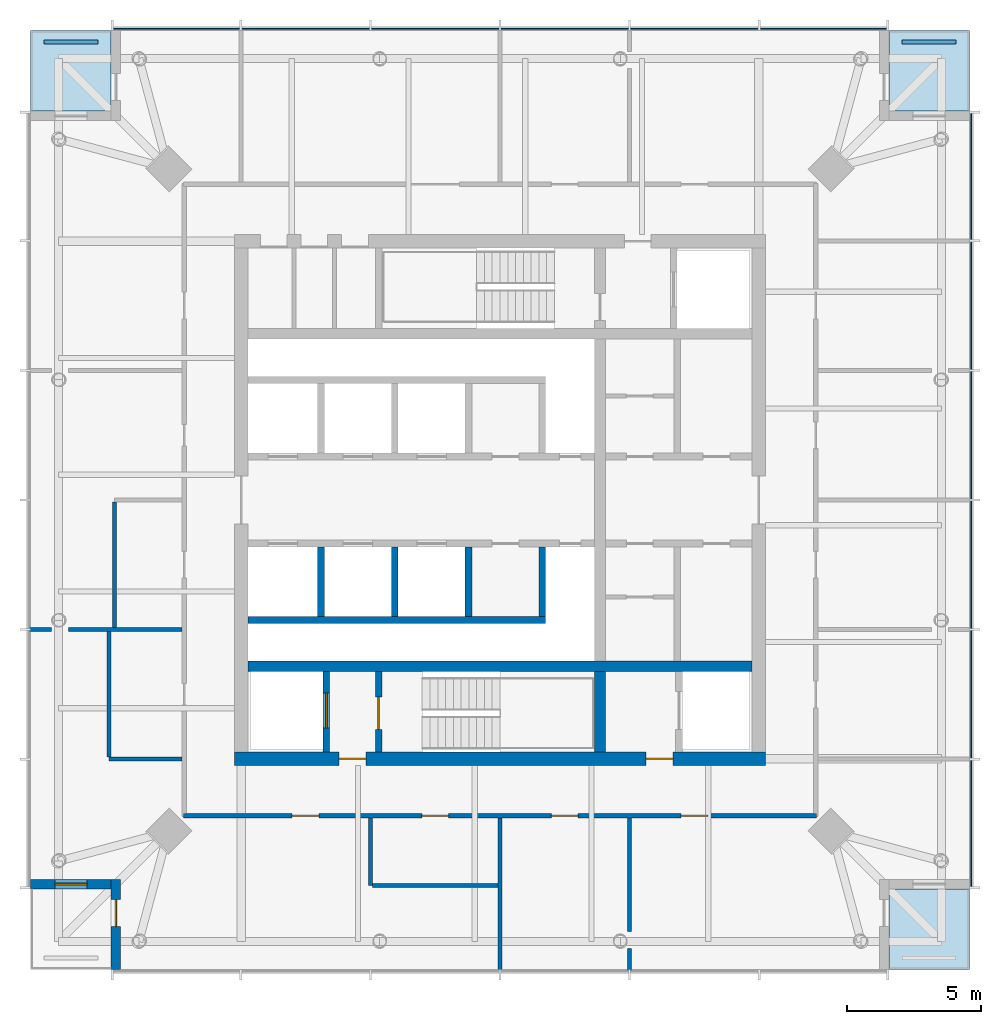
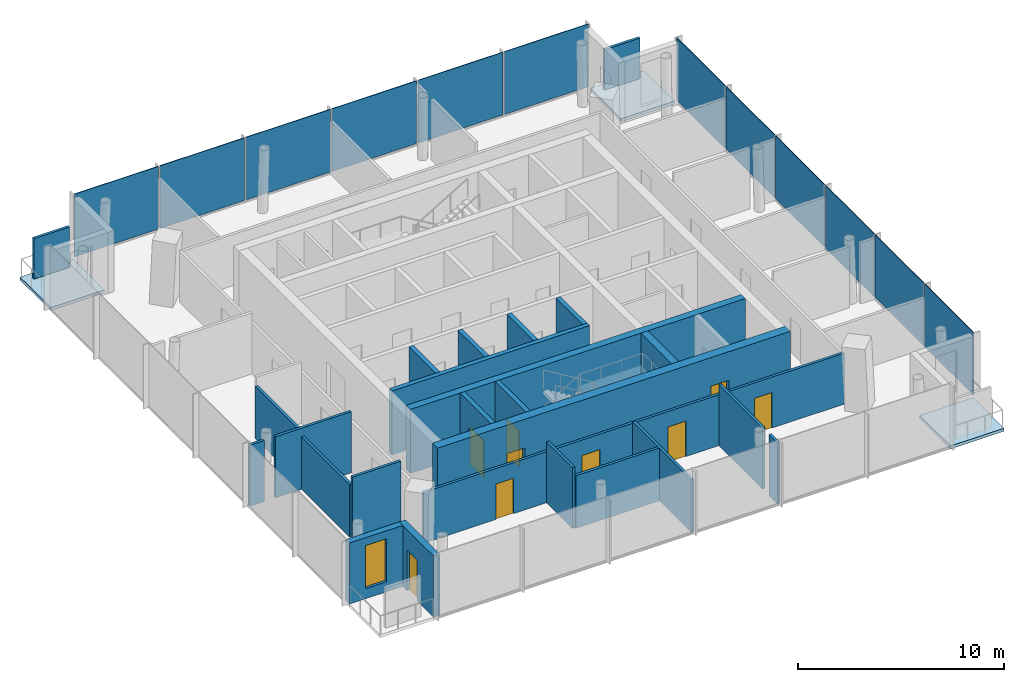
# One storey, part 3 of 7: 23 walls, 14 plates, 9 doors, 3 slabs, 1 window, 10 openings, 2 elements without a shape of their own.
"""IFC4 building model written with IfcOpenShell, lengths in metres."""

from ifc_helpers import new_model, si_unit, direction, frame, frame_2d, origin, origin_2d, place, context, subcontext, project, spatial, polyline, rectangle, outline, extrude, material, layer, layer_set, type_object, element, fill, aggregate, save


model = new_model("IFC4")

# Units and contexts
model_context = context("Model", 3, precision=1e-05, world=origin(), true_north=direction((0.0, 1.0)))
body_context = subcontext(model_context, "Body", "Model", "MODEL_VIEW")
ifc_project = project(units=[si_unit("LENGTHUNIT", "METRE"), si_unit("AREAUNIT", "SQUARE_METRE"), si_unit("VOLUMEUNIT", "CUBIC_METRE"), si_unit("PLANEANGLEUNIT", "RADIAN"), si_unit("MASSUNIT", "GRAM", prefix="KILO")], contexts=[model_context])

# Site, building, storey
site_placement = place(None, origin())
site = spatial("IfcSite", under=ifc_project, at=site_placement, CompositionType="ELEMENT")
building_placement = place(site_placement, origin())
building = spatial("IfcBuilding", under=site, at=building_placement, Name="Ostroluk Exchange", CompositionType="ELEMENT")
storey_placement = place(building_placement, frame((0.0, 0.0, 256.60009765625)))
storey = spatial("IfcBuildingStorey", under=building, at=storey_placement, Name="L66", CompositionType="ELEMENT", Elevation=256.60009765625)

# Slabs
ifc_material_1 = material(Name="Concrete C35/45", Category="concrete")
ifc_layer_1 = layer(ifc_material_1, 0.179931640625)
ifc_layer_set_1 = layer_set([ifc_layer_1], Name="Balcony slab 180")
slab_type = type_object("IfcSlabType", Name="Balcony slab 180", PredefinedType="USERDEFINED", material=ifc_layer_set_1)
slab_1_placement = place(storey_placement, frame((0.0, 0.0, -0.18017578125)))
element("IfcSlab", 1, at=slab_1_placement, inside=storey, type_object=slab_type, Name="Office tower SE corner balcony L66", ObjectType="BALCONY", PredefinedType="USERDEFINED", context=body_context, shape_type="SweptSolid", body=[
    extrude(outline(polyline([(59.5, 28.5), (62.5, 28.5), (62.5, 31.5), (59.5, 31.5), (59.5, 28.5)])), origin(), (0.0, 0.0, 1.0), 0.18017578125),
])
slab_2_placement = place(storey_placement, frame((0.0, 0.0, -0.18017578125)))
element("IfcSlab", 2, at=slab_2_placement, inside=storey, type_object=slab_type, Name="Office tower NE corner balcony L66", ObjectType="BALCONY", PredefinedType="USERDEFINED", context=body_context, shape_type="SweptSolid", body=[
    extrude(outline(polyline([(59.5, 60.5), (62.5, 60.5), (62.5, 63.5), (59.5, 63.5), (59.5, 60.5)])), origin(), (0.0, 0.0, 1.0), 0.18017578125),
])
slab_3_placement = place(storey_placement, frame((0.0, 0.0, -0.18017578125)))
element("IfcSlab", 3, at=slab_3_placement, inside=storey, type_object=slab_type, Name="Office tower NW corner balcony L66", ObjectType="BALCONY", PredefinedType="USERDEFINED", context=body_context, shape_type="SweptSolid", body=[
    extrude(outline(polyline([(27.5, 60.5), (30.5, 60.5), (30.5, 63.5), (27.5, 63.5), (27.5, 60.5)])), origin(), (0.0, 0.0, 1.0), 0.18017578125),
])

# Plates
ifc_material_2 = material(Name="Steel S355 trellis with planting", Category="steel")
ifc_layer_2 = layer(ifc_material_2, 0.14990234375)
ifc_layer_set_2 = layer_set([ifc_layer_2], Name="Planted screen 150")
plate_type_1 = type_object("IfcPlateType", Name="Planted screen 150", PredefinedType="USERDEFINED", material=ifc_layer_set_2)
for number, where, z_axis, x_axis, name in (
    (4, (61.0, 63.074951171875, 0.0), (0.0, 0.0, 1.0), (1.0, 0.0, 0.0), "Office tower NE planted screen L66"),
    (5, (29.0, 63.074951171875, 0.0), (0.0, 0.0, 1.0), (1.0, 0.0, 0.0), "Office tower NW planted screen L66"),
):
    element("IfcPlate", number, at=place(storey_placement, frame(where, z_axis=z_axis, x_axis=x_axis)), inside=storey, type_object=plate_type_1, Name=name, ObjectType="PLANTED SCREEN", PredefinedType="USERDEFINED", context=body_context, shape_type="SweptSolid", body=[
        extrude(rectangle(XDim=2.0, YDim=0.14990234375, at=origin_2d()), origin(), (0.0, 0.0, 1.0), 2.39990234375),
    ])

# Curtain wall, plates
ifc_material_3 = material(Name="Laminated clear glass", Category="glass")
curtain_wall_type = type_object("IfcCurtainWallType", Name="Office tower facade", PredefinedType="USERDEFINED", material=ifc_material_3)
curtain_wall_1_placement = place(storey_placement, origin())
curtain_wall_1 = element("IfcCurtainWall", 6, at=curtain_wall_1_placement, inside=storey, type_object=curtain_wall_type, Name="Office tower east facade L66", ObjectType="UNITISED CURTAIN WALL", PredefinedType="USERDEFINED")
ifc_material_4 = material(Name="Laminated clear glass", Category="glass")
ifc_layer_3 = layer(ifc_material_4, 0.0439453125)
ifc_layer_set_3 = layer_set([ifc_layer_3], Name="Triple laminated clear glazing 44")
plate_type_2 = type_object("IfcPlateType", Name="Triple laminated clear glazing 44", PredefinedType="CURTAIN_PANEL", material=ifc_layer_set_3)
plate_1_placement = place(storey_placement, frame((62.574951171875, 33.936767578125, 0.080078125), z_axis=(0.0, 0.0, 1.0), x_axis=(0.0, 1.0, 0.0)))
plate_1 = element("IfcPlate", 7, at=plate_1_placement, type_object=plate_type_2, Name="CW-O1 panel 1.1", PredefinedType="CURTAIN_PANEL", context=body_context, shape_type="SweptSolid", body=[
    extrude(rectangle(XDim=4.71337890625, YDim=0.0439453125, at=origin_2d()), origin(), (0.0, 0.0, 1.0), 3.719970703125),
])
plate_2_placement = place(storey_placement, frame((62.574951171875, 38.75, 0.080078125), z_axis=(0.0, 0.0, 1.0), x_axis=(0.0, 1.0, 0.0)))
plate_2 = element("IfcPlate", 8, at=plate_2_placement, type_object=plate_type_2, Name="CW-O1 panel 2.1", PredefinedType="CURTAIN_PANEL", context=body_context, shape_type="SweptSolid", body=[
    extrude(rectangle(XDim=4.75341796875, YDim=0.0439453125, at=origin_2d()), origin(), (0.0, 0.0, 1.0), 3.719970703125),
])
plate_3_placement = place(storey_placement, frame((62.574951171875, 43.583251953125, 0.080078125), z_axis=(0.0, 0.0, 1.0), x_axis=(0.0, 1.0, 0.0)))
plate_3 = element("IfcPlate", 9, at=plate_3_placement, type_object=plate_type_2, Name="CW-O1 panel 3.1", PredefinedType="CURTAIN_PANEL", context=body_context, shape_type="SweptSolid", body=[
    extrude(rectangle(XDim=4.75341796875, YDim=0.0439453125, at=origin_2d()), origin(), (0.0, 0.0, 1.0), 3.719970703125),
])
plate_4_placement = place(storey_placement, frame((62.574951171875, 48.416748046875, 0.080078125), z_axis=(0.0, 0.0, 1.0), x_axis=(0.0, 1.0, 0.0)))
plate_4 = element("IfcPlate", 10, at=plate_4_placement, type_object=plate_type_2, Name="CW-O1 panel 4.1", PredefinedType="CURTAIN_PANEL", context=body_context, shape_type="SweptSolid", body=[
    extrude(rectangle(XDim=4.75341796875, YDim=0.0439453125, at=origin_2d()), origin(), (0.0, 0.0, 1.0), 3.719970703125),
])
plate_5_placement = place(storey_placement, frame((62.574951171875, 53.25, 0.080078125), z_axis=(0.0, 0.0, 1.0), x_axis=(0.0, 1.0, 0.0)))
plate_5 = element("IfcPlate", 11, at=plate_5_placement, type_object=plate_type_2, Name="CW-O1 panel 5.1", PredefinedType="CURTAIN_PANEL", context=body_context, shape_type="SweptSolid", body=[
    extrude(rectangle(XDim=4.75341796875, YDim=0.0439453125, at=origin_2d()), origin(), (0.0, 0.0, 1.0), 3.719970703125),
])
plate_6_placement = place(storey_placement, frame((62.574951171875, 58.063232421875, 0.080078125), z_axis=(0.0, 0.0, 1.0), x_axis=(0.0, 1.0, 0.0)))
plate_6 = element("IfcPlate", 12, at=plate_6_placement, type_object=plate_type_2, Name="CW-O1 panel 6.1", PredefinedType="CURTAIN_PANEL", context=body_context, shape_type="SweptSolid", body=[
    extrude(rectangle(XDim=4.71337890625, YDim=0.0439453125, at=origin_2d()), origin(), (0.0, 0.0, 1.0), 3.719970703125),
])
aggregate(curtain_wall_1, [plate_1, plate_2, plate_3, plate_4, plate_5, plate_6])

curtain_wall_2_placement = place(storey_placement, origin())
curtain_wall_2 = element("IfcCurtainWall", 13, at=curtain_wall_2_placement, inside=storey, type_object=curtain_wall_type, Name="Office tower north facade L66", ObjectType="UNITISED CURTAIN WALL", PredefinedType="USERDEFINED")
plate_7_placement = place(storey_placement, frame((57.063232421875, 63.574951171875, 0.080078125), z_axis=(0.0, 0.0, 1.0), x_axis=(-1.0, 0.0, 0.0)))
plate_7 = element("IfcPlate", 14, at=plate_7_placement, type_object=plate_type_2, Name="CW-O1 panel 1.1", PredefinedType="CURTAIN_PANEL", context=body_context, shape_type="SweptSolid", body=[
    extrude(rectangle(XDim=4.71337890625, YDim=0.0439453125, at=origin_2d()), origin(), (0.0, 0.0, 1.0), 3.719970703125),
])
plate_8_placement = place(storey_placement, frame((52.25, 63.574951171875, 0.080078125), z_axis=(0.0, 0.0, 1.0), x_axis=(-1.0, 0.0, 0.0)))
plate_8 = element("IfcPlate", 15, at=plate_8_placement, type_object=plate_type_2, Name="CW-O1 panel 2.1", PredefinedType="CURTAIN_PANEL", context=body_context, shape_type="SweptSolid", body=[
    extrude(rectangle(XDim=4.75341796875, YDim=0.0439453125, at=origin_2d()), origin(), (0.0, 0.0, 1.0), 3.719970703125),
])
plate_9_placement = place(storey_placement, frame((47.416748046875, 63.574951171875, 0.080078125), z_axis=(0.0, 0.0, 1.0), x_axis=(-1.0, 0.0, 0.0)))
plate_9 = element("IfcPlate", 16, at=plate_9_placement, type_object=plate_type_2, Name="CW-O1 panel 3.1", PredefinedType="CURTAIN_PANEL", context=body_context, shape_type="SweptSolid", body=[
    extrude(rectangle(XDim=4.75341796875, YDim=0.0439453125, at=origin_2d()), origin(), (0.0, 0.0, 1.0), 3.719970703125),
])
plate_10_placement = place(storey_placement, frame((42.583251953125, 63.574951171875, 0.080078125), z_axis=(0.0, 0.0, 1.0), x_axis=(-1.0, 0.0, 0.0)))
plate_10 = element("IfcPlate", 17, at=plate_10_placement, type_object=plate_type_2, Name="CW-O1 panel 4.1", PredefinedType="CURTAIN_PANEL", context=body_context, shape_type="SweptSolid", body=[
    extrude(rectangle(XDim=4.75341796875, YDim=0.0439453125, at=origin_2d()), origin(), (0.0, 0.0, 1.0), 3.719970703125),
])
plate_11_placement = place(storey_placement, frame((37.75, 63.574951171875, 0.080078125), z_axis=(0.0, 0.0, 1.0), x_axis=(-1.0, 0.0, 0.0)))
plate_11 = element("IfcPlate", 18, at=plate_11_placement, type_object=plate_type_2, Name="CW-O1 panel 5.1", PredefinedType="CURTAIN_PANEL", context=body_context, shape_type="SweptSolid", body=[
    extrude(rectangle(XDim=4.75341796875, YDim=0.0439453125, at=origin_2d()), origin(), (0.0, 0.0, 1.0), 3.719970703125),
])
plate_12_placement = place(storey_placement, frame((32.936767578125, 63.574951171875, 0.080078125), z_axis=(0.0, 0.0, 1.0), x_axis=(-1.0, 0.0, 0.0)))
plate_12 = element("IfcPlate", 19, at=plate_12_placement, type_object=plate_type_2, Name="CW-O1 panel 6.1", PredefinedType="CURTAIN_PANEL", context=body_context, shape_type="SweptSolid", body=[
    extrude(rectangle(XDim=4.71337890625, YDim=0.0439453125, at=origin_2d()), origin(), (0.0, 0.0, 1.0), 3.719970703125),
])
aggregate(curtain_wall_2, [plate_7, plate_8, plate_9, plate_10, plate_11, plate_12])

# Walls
ifc_material_5 = material(Name="Concrete C50/60", Category="concrete")
ifc_layer_4 = layer(ifc_material_5, 0.39990234375)
ifc_layer_set_4 = layer_set([ifc_layer_4], Name="Core cross wall 400 C50/60")
wall_type_1 = type_object("IfcWallType", Name="Core cross wall 400 C50/60", PredefinedType="SHEAR", material=ifc_layer_set_4)
wall_1_placement = place(storey_placement, frame((35.60009765625, 39.800048828125, 0.0), z_axis=(0.0, 0.0, 1.0), x_axis=(1.0, 0.0, 0.0)))
element("IfcWall", 20, at=wall_1_placement, inside=storey, type_object=wall_type_1, Name="T1 core wall XS", PredefinedType="SHEAR", context=body_context, shape_type="SweptSolid", body=[
    extrude(rectangle(XDim=18.7998046875, YDim=0.39990234375, at=frame_2d((9.39990234375, 0.0))), origin(), (0.0, 0.0, 1.0), 3.7998046875),
])
wall_2_placement = place(storey_placement, frame((48.72998046875, 36.60009765625, 0.0), z_axis=(0.0, 0.0, 1.0), x_axis=(0.0, 1.0, 0.0)))
element("IfcWall", 21, at=wall_2_placement, inside=storey, type_object=wall_type_1, Name="T1 core wall YE1", PredefinedType="SHEAR", context=body_context, shape_type="SweptSolid", body=[
    extrude(rectangle(XDim=3.0, YDim=0.39990234375, at=frame_2d((1.5, 0.0))), origin(), (0.0, 0.0, 1.0), 3.7998046875),
])

# Wall, opening, door
ifc_material_6 = material(Name="Concrete C40/50", Category="concrete")
ifc_layer_5 = layer(ifc_material_6, 0.25)
ifc_layer_set_5 = layer_set([ifc_layer_5], Name="Core shaft wall 250")
wall_type_2 = type_object("IfcWallType", Name="Core shaft wall 250", PredefinedType="SHEAR", material=ifc_layer_set_5)
wall_3_placement = place(storey_placement, frame((38.52490234375, 36.60009765625, 0.0), z_axis=(0.0, 0.0, 1.0), x_axis=(0.0, 1.0, 0.0)))
wall_3 = element("IfcWall", 22, at=wall_3_placement, inside=storey, type_object=wall_type_2, Name="Firefighting lift shaft wall", PredefinedType="SHEAR", context=body_context, shape_type="SweptSolid", body=[
    extrude(rectangle(XDim=3.0, YDim=0.25, at=frame_2d((1.5, 0.0))), origin(), (0.0, 0.0, 1.0), 3.7998046875),
])
opening_1_placement = place(wall_3_placement, frame((0.89990234375, 0.0, 0.0)))
opening_1 = element("IfcOpeningElement", 23, at=opening_1_placement, cuts=wall_3, Name="Opening LD2", PredefinedType="OPENING", context=body_context, shape_type="SweptSolid", body=[
    extrude(rectangle(XDim=1.300048828125, YDim=2.199951171875, at=frame_2d((0.64990234375, 1.10009765625))), frame((0.0, 0.135009765625, 0.0), z_axis=(0.0, -1.0, 0.0), x_axis=(1.0, 0.0, 0.0)), (0.0, 0.0, 1.0), 0.27001953125),
])
ifc_material_7 = material(Name="Stainless steel", Category="steel")
door_type_1 = type_object("IfcDoorType", Name="Lift landing door E 60 1300 x 2200", OperationType="DOUBLE_DOOR_SLIDING", PredefinedType="DOOR", material=ifc_material_7)
door_1_placement = place(opening_1_placement, origin())
door_1 = element("IfcDoor", 24, at=door_1_placement, inside=storey, type_object=door_type_1, Name="Lift FL1 landing door", OperationType="DOUBLE_DOOR_SLIDING", OverallHeight=2.199951171875, OverallWidth=1.300048828125, PredefinedType="DOOR", context=body_context, shape_type="SweptSolid", body=[
    extrude(rectangle(XDim=1.300048828125, YDim=2.199951171875, at=frame_2d((0.64990234375, 1.10009765625))), frame((0.0, 0.02490234375, 0.0), z_axis=(0.0, -1.0, 0.0), x_axis=(1.0, 0.0, 0.0)), (0.0, 0.0, 1.0), 0.050048828125),
])
fill(opening_1, door_1)

wall_4_placement = place(storey_placement, frame((40.47509765625, 36.60009765625, 0.0), z_axis=(0.0, 0.0, 1.0), x_axis=(0.0, 1.0, 0.0)))
wall_4 = element("IfcWall", 25, at=wall_4_placement, inside=storey, type_object=wall_type_2, Name="Stair shaft wall", PredefinedType="SHEAR", context=body_context, shape_type="SweptSolid", body=[
    extrude(rectangle(XDim=3.0, YDim=0.25, at=frame_2d((1.5, 0.0))), origin(), (0.0, 0.0, 1.0), 3.7998046875),
])
opening_2_placement = place(wall_4_placement, frame((0.85009765625, 0.0, 0.0)))
opening_2 = element("IfcOpeningElement", 26, at=opening_2_placement, cuts=wall_4, Name="Opening FD60S", PredefinedType="OPENING", context=body_context, shape_type="SweptSolid", body=[
    extrude(rectangle(XDim=1.199951171875, YDim=2.10009765625, at=frame_2d((0.60009765625, 1.050048828125))), frame((0.0, 0.135009765625, 0.0), z_axis=(0.0, -1.0, 0.0), x_axis=(1.0, 0.0, 0.0)), (0.0, 0.0, 1.0), 0.27001953125),
])
ifc_material_8 = material(Name="Steel", Category="steel")
door_type_2 = type_object("IfcDoorType", Name="Stair door EI 60 1200 x 2100", OperationType="SINGLE_SWING_LEFT", PredefinedType="DOOR", material=ifc_material_8)
door_2_placement = place(opening_2_placement, origin())
door_2 = element("IfcDoor", 27, at=door_2_placement, inside=storey, type_object=door_type_2, Name="Stair T1-S1 door", OperationType="SINGLE_SWING_LEFT", OverallHeight=2.10009765625, OverallWidth=1.199951171875, PredefinedType="DOOR", context=body_context, shape_type="SweptSolid", body=[
    extrude(rectangle(XDim=1.199951171875, YDim=2.10009765625, at=frame_2d((0.60009765625, 1.050048828125))), frame((0.0, 0.02490234375, 0.0), z_axis=(0.0, -1.0, 0.0), x_axis=(1.0, 0.0, 0.0)), (0.0, 0.0, 1.0), 0.050048828125),
])
fill(opening_2, door_2)

# Walls
for number, where, z_axis, x_axis, name in (
    (28, (38.324951171875, 44.25, 0.0), (0.0, 0.0, 1.0), (0.0, -1.0, 0.0), "Lift shaft wall"),
    (29, (41.074951171875, 44.25, 0.0), (0.0, 0.0, 1.0), (0.0, -1.0, 0.0), "Lift shaft wall"),
    (30, (43.824951171875, 44.25, 0.0), (0.0, 0.0, 1.0), (0.0, -1.0, 0.0), "Lift shaft wall"),
    (31, (46.574951171875, 44.25, 0.0), (0.0, 0.0, 1.0), (0.0, -1.0, 0.0), "Lift shaft wall"),
):
    element("IfcWall", number, at=place(storey_placement, frame(where, z_axis=z_axis, x_axis=x_axis)), inside=storey, type_object=wall_type_2, Name=name, PredefinedType="SHEAR", context=body_context, shape_type="SweptSolid", body=[
        extrude(rectangle(XDim=2.60009765625, YDim=0.25, at=frame_2d((1.300048828125, 0.0))), origin(), (0.0, 0.0, 1.0), 3.7998046875),
    ])
wall_5_placement = place(storey_placement, frame((35.60009765625, 41.52490234375, 0.0), z_axis=(0.0, 0.0, 1.0), x_axis=(1.0, 0.0, 0.0)))
element("IfcWall", 32, at=wall_5_placement, inside=storey, type_object=wall_type_2, Name="Lift shaft wall", PredefinedType="SHEAR", context=body_context, shape_type="SweptSolid", body=[
    extrude(rectangle(XDim=11.099853515625, YDim=0.25, at=frame_2d((5.5498046875, 0.0))), origin(), (0.0, 0.0, 1.0), 3.7998046875),
])

# Wall, openings, doors
ifc_material_9 = material(Name="Concrete C50/60", Category="concrete")
ifc_layer_6 = layer(ifc_material_9, 0.5)
ifc_layer_set_6 = layer_set([ifc_layer_6], Name="Core wall 500 C50/60")
wall_type_3 = type_object("IfcWallType", Name="Core wall 500 C50/60", PredefinedType="SHEAR", material=ifc_layer_set_6)
wall_6_placement = place(storey_placement, frame((35.10009765625, 36.35009765625, 0.0), z_axis=(0.0, 0.0, 1.0), x_axis=(1.0, 0.0, 0.0)))
wall_6 = element("IfcWall", 33, at=wall_6_placement, inside=storey, type_object=wall_type_3, Name="T1 core wall S", PredefinedType="SHEAR", context=body_context, shape_type="SweptSolid", body=[
    extrude(rectangle(XDim=19.7998046875, YDim=0.5, at=frame_2d((9.89990234375, 0.0))), origin(), (0.0, 0.0, 1.0), 3.7998046875),
])
opening_3_placement = place(wall_6_placement, frame((3.89990234375, 0.0, 0.0)))
opening_3 = element("IfcOpeningElement", 34, at=opening_3_placement, cuts=wall_6, Name="Opening FD60", PredefinedType="OPENING", context=body_context, shape_type="SweptSolid", body=[
    extrude(rectangle(XDim=1.0, YDim=2.10009765625, at=frame_2d((0.5, 1.050048828125))), frame((0.0, 0.260009765625, 0.0), z_axis=(0.0, -1.0, 0.0), x_axis=(1.0, 0.0, 0.0)), (0.0, 0.0, 1.0), 0.52001953125),
])
opening_4_placement = place(wall_6_placement, frame((15.35009765625, 0.0, 0.0)))
opening_4 = element("IfcOpeningElement", 35, at=opening_4_placement, cuts=wall_6, Name="Opening FD60", PredefinedType="OPENING", context=body_context, shape_type="SweptSolid", body=[
    extrude(rectangle(XDim=1.0, YDim=2.10009765625, at=frame_2d((0.5, 1.050048828125))), frame((0.0, 0.260009765625, 0.0), z_axis=(0.0, -1.0, 0.0), x_axis=(1.0, 0.0, 0.0)), (0.0, 0.0, 1.0), 0.52001953125),
])
ifc_material_10 = material(Name="Steel", Category="steel")
door_type_3 = type_object("IfcDoorType", Name="Fire door EI 60 1000 x 2100", OperationType="SINGLE_SWING_LEFT", PredefinedType="DOOR", material=ifc_material_10)
door_3_placement = place(opening_3_placement, origin())
door_3 = element("IfcDoor", 36, at=door_3_placement, inside=storey, type_object=door_type_3, Name="Firefighting lobby door", OperationType="SINGLE_SWING_LEFT", OverallHeight=2.10009765625, OverallWidth=1.0, PredefinedType="DOOR", context=body_context, shape_type="SweptSolid", body=[
    extrude(rectangle(XDim=1.0, YDim=2.10009765625, at=frame_2d((0.5, 1.050048828125))), frame((0.0, 0.02490234375, 0.0), z_axis=(0.0, -1.0, 0.0), x_axis=(1.0, 0.0, 0.0)), (0.0, 0.0, 1.0), 0.050048828125),
])
fill(opening_3, door_3)
door_4_placement = place(opening_4_placement, origin())
door_4 = element("IfcDoor", 37, at=door_4_placement, inside=storey, type_object=door_type_3, Name="Service lobby door", OperationType="SINGLE_SWING_RIGHT", OverallHeight=2.10009765625, OverallWidth=1.0, PredefinedType="DOOR", context=body_context, shape_type="SweptSolid", body=[
    extrude(rectangle(XDim=1.0, YDim=2.10009765625, at=frame_2d((0.5, 1.050048828125))), frame((0.0, 0.02490234375, 0.0), z_axis=(0.0, -1.0, 0.0), x_axis=(1.0, 0.0, 0.0)), (0.0, 0.0, 1.0), 0.050048828125),
])
fill(opening_4, door_4)

# Wall, opening, door
ifc_material_11 = material(Name="Limestone", Category="masonry")
ifc_layer_7 = layer(ifc_material_11, 0.35009765625)
ifc_layer_set_7 = layer_set([ifc_layer_7], Name="Limestone facade wall 350")
wall_type_4 = type_object("IfcWallType", Name="Limestone facade wall 350", PredefinedType="SOLIDWALL", material=ifc_layer_set_7)
wall_7_placement = place(storey_placement, frame((30.675048828125, 28.5, 0.0), z_axis=(0.0, 0.0, 1.0), x_axis=(0.0, 1.0, 0.0)))
wall_7 = element("IfcWall", 38, at=wall_7_placement, inside=storey, type_object=wall_type_4, Name="Office tower SW corner wall L66 a", PredefinedType="SOLIDWALL", context=body_context, shape_type="SweptSolid", body=[
    extrude(rectangle(XDim=3.35009765625, YDim=0.35009765625, at=frame_2d((1.675048828125, 0.0))), origin(), (0.0, 0.0, 1.0), 3.619873046875),
])
opening_5_placement = place(wall_7_placement, frame((1.60009765625, 0.0, 0.0)))
opening_5 = element("IfcOpeningElement", 39, at=opening_5_placement, cuts=wall_7, Name="Opening D-B1", PredefinedType="OPENING", context=body_context, shape_type="SweptSolid", body=[
    extrude(rectangle(XDim=1.0, YDim=2.39990234375, at=frame_2d((0.5, 1.199951171875))), frame((0.0, 0.18505859375, 0.0), z_axis=(0.0, -1.0, 0.0), x_axis=(1.0, 0.0, 0.0)), (0.0, 0.0, 1.0), 0.3701171875),
])
ifc_material_12 = material(Name="Bronze framed glazed door", Category="aluminium")
door_type_4 = type_object("IfcDoorType", Name="Balcony door 1000 x 2400", OperationType="SINGLE_SWING_LEFT", PredefinedType="DOOR", material=ifc_material_12)
door_5_placement = place(opening_5_placement, origin())
door_5 = element("IfcDoor", 40, at=door_5_placement, inside=storey, type_object=door_type_4, Name="Office tower SW balcony door L66", OperationType="SINGLE_SWING_RIGHT", OverallHeight=2.39990234375, OverallWidth=1.0, PredefinedType="DOOR", context=body_context, shape_type="SweptSolid", body=[
    extrude(rectangle(XDim=1.0, YDim=2.39990234375, at=frame_2d((0.5, 1.199951171875))), frame((0.0, 0.02490234375, 0.0), z_axis=(0.0, -1.0, 0.0), x_axis=(1.0, 0.0, 0.0)), (0.0, 0.0, 1.0), 0.050048828125),
])
fill(opening_5, door_5)

# Wall, opening, window
wall_8_placement = place(storey_placement, frame((30.5, 31.675048828125, 0.0), z_axis=(0.0, 0.0, 1.0), x_axis=(-1.0, 0.0, 0.0)))
wall_8 = element("IfcWall", 41, at=wall_8_placement, inside=storey, type_object=wall_type_4, Name="Office tower SW corner wall L66 b", PredefinedType="SOLIDWALL", context=body_context, shape_type="SweptSolid", body=[
    extrude(rectangle(XDim=3.0, YDim=0.35009765625, at=frame_2d((1.5, 0.0))), origin(), (0.0, 0.0, 1.0), 3.619873046875),
])
opening_6_placement = place(wall_8_placement, frame((0.89990234375, 0.0, 0.60009765625)))
opening_6 = element("IfcOpeningElement", 42, at=opening_6_placement, cuts=wall_8, Name="Opening WN-L1", PredefinedType="OPENING", context=body_context, shape_type="SweptSolid", body=[
    extrude(rectangle(XDim=1.199951171875, YDim=2.550048828125, at=frame_2d((0.60009765625, 1.27490234375))), frame((0.0, 0.18505859375, 0.0), z_axis=(0.0, -1.0, 0.0), x_axis=(1.0, 0.0, 0.0)), (0.0, 0.0, 1.0), 0.3701171875),
])
ifc_material_13 = material(Name="Laminated clear glass", Category="glass")
window_type = type_object("IfcWindowType", Name="Lancet window 1200 x 2550", PartitioningType="SINGLE_PANEL", PredefinedType="WINDOW", material=ifc_material_13)
window_placement = place(opening_6_placement, origin())
window = element("IfcWindow", 43, at=window_placement, inside=storey, type_object=window_type, Name="Office tower SW lancet window L66", OverallHeight=2.550048828125, OverallWidth=1.199951171875, PartitioningType="SINGLE_PANEL", PredefinedType="WINDOW", context=body_context, shape_type="SweptSolid", body=[
    extrude(rectangle(XDim=1.199951171875, YDim=2.550048828125, at=frame_2d((0.60009765625, 1.27490234375))), frame((0.0, 0.030029296875, 0.0), z_axis=(0.0, -1.0, 0.0), x_axis=(1.0, 0.0, 0.0)), (0.0, 0.0, 1.0), 0.06005859375),
])
fill(opening_6, window)

# Walls
ifc_material_14 = material(Name="Gypsum plasterboard partition", Category="gypsum")
ifc_layer_8 = layer(ifc_material_14, 0.14990234375)
ifc_layer_set_8 = layer_set([ifc_layer_8], Name="Plasterboard partition 150")
wall_type_5 = type_object("IfcWallType", Name="Plasterboard partition 150", PredefinedType="PARTITIONING", material=ifc_layer_set_8)
wall_9_placement = place(storey_placement, frame((33.14990234375, 41.166748046875, 0.0), z_axis=(0.0, 0.0, 1.0), x_axis=(-1.0, 0.0, 0.0)))
element("IfcWall", 44, at=wall_9_placement, inside=storey, type_object=wall_type_5, Name="Partition", PredefinedType="PARTITIONING", context=body_context, shape_type="SweptSolid", body=[
    extrude(rectangle(XDim=4.245849609375, YDim=0.14990234375, at=frame_2d((2.123046875, 0.0))), origin(), (0.0, 0.0, 1.0), 3.619873046875),
])
wall_10_placement = place(storey_placement, frame((28.274658203125, 41.166748046875, 0.0), z_axis=(0.0, 0.0, 1.0), x_axis=(-1.0, 0.0, 0.0)))
element("IfcWall", 45, at=wall_10_placement, inside=storey, type_object=wall_type_5, Name="Partition", PredefinedType="PARTITIONING", context=body_context, shape_type="SweptSolid", body=[
    extrude(rectangle(XDim=0.814697265625, YDim=0.14990234375, at=frame_2d((0.4072265625, 0.0))), origin(), (0.0, 0.0, 1.0), 3.619873046875),
])
wall_11_placement = place(storey_placement, frame((33.14990234375, 36.333251953125, 0.0), z_axis=(0.0, 0.0, 1.0), x_axis=(-1.0, 0.0, 0.0)))
element("IfcWall", 46, at=wall_11_placement, inside=storey, type_object=wall_type_5, Name="Partition", PredefinedType="PARTITIONING", context=body_context, shape_type="SweptSolid", body=[
    extrude(rectangle(XDim=2.724853515625, YDim=0.14990234375, at=frame_2d((1.3623046875, 0.0))), origin(), (0.0, 0.0, 1.0), 3.619873046875),
])
wall_12_placement = place(storey_placement, frame((40.24169921875, 31.625, 0.0), z_axis=(0.0, 0.0, 1.0), x_axis=(1.0, 0.0, 0.0)))
element("IfcWall", 47, at=wall_12_placement, inside=storey, type_object=wall_type_5, Name="Partition", PredefinedType="PARTITIONING", context=body_context, shape_type="SweptSolid", body=[
    extrude(rectangle(XDim=4.683349609375, YDim=0.14990234375, at=frame_2d((2.341796875, 0.0))), origin(), (0.0, 0.0, 1.0), 3.119873046875),
])

# Wall, openings, doors
wall_13_placement = place(storey_placement, frame((33.198486328125, 34.22509765625, 0.0), z_axis=(0.0, 0.0, 1.0), x_axis=(1.0, 0.0, 0.0)))
wall_13 = element("IfcWall", 48, at=wall_13_placement, inside=storey, type_object=wall_type_5, Name="Partition", PredefinedType="PARTITIONING", context=body_context, shape_type="SweptSolid", body=[
    extrude(rectangle(XDim=23.60302734375, YDim=0.14990234375, at=frame_2d((11.801513671875, 0.0))), origin(), (0.0, 0.0, 1.0), 3.02001953125),
])
opening_7_placement = place(wall_13_placement, frame((4.051513671875, 0.0, 0.0)))
opening_7 = element("IfcOpeningElement", 49, at=opening_7_placement, cuts=wall_13, Name="Opening D-03", PredefinedType="OPENING", context=body_context, shape_type="SweptSolid", body=[
    extrude(rectangle(XDim=1.0, YDim=2.10009765625, at=frame_2d((0.5, 1.050048828125))), frame((0.0, 0.0849609375, 0.0), z_axis=(0.0, -1.0, 0.0), x_axis=(1.0, 0.0, 0.0)), (0.0, 0.0, 1.0), 0.169921875),
])
opening_8_placement = place(wall_13_placement, frame((8.884765625, 0.0, 0.0)))
opening_8 = element("IfcOpeningElement", 50, at=opening_8_placement, cuts=wall_13, Name="Opening D-03", PredefinedType="OPENING", context=body_context, shape_type="SweptSolid", body=[
    extrude(rectangle(XDim=1.0, YDim=2.10009765625, at=frame_2d((0.5, 1.050048828125))), frame((0.0, 0.0849609375, 0.0), z_axis=(0.0, -1.0, 0.0), x_axis=(1.0, 0.0, 0.0)), (0.0, 0.0, 1.0), 0.169921875),
])
opening_9_placement = place(wall_13_placement, frame((13.718017578125, 0.0, 0.0)))
opening_9 = element("IfcOpeningElement", 51, at=opening_9_placement, cuts=wall_13, Name="Opening D-03", PredefinedType="OPENING", context=body_context, shape_type="SweptSolid", body=[
    extrude(rectangle(XDim=1.0, YDim=2.10009765625, at=frame_2d((0.5, 1.050048828125))), frame((0.0, 0.0849609375, 0.0), z_axis=(0.0, -1.0, 0.0), x_axis=(1.0, 0.0, 0.0)), (0.0, 0.0, 1.0), 0.169921875),
])
opening_10_placement = place(wall_13_placement, frame((18.551513671875, 0.0, 0.0)))
opening_10 = element("IfcOpeningElement", 52, at=opening_10_placement, cuts=wall_13, Name="Opening D-03", PredefinedType="OPENING", context=body_context, shape_type="SweptSolid", body=[
    extrude(rectangle(XDim=1.0, YDim=2.10009765625, at=frame_2d((0.5, 1.050048828125))), frame((0.0, 0.0849609375, 0.0), z_axis=(0.0, -1.0, 0.0), x_axis=(1.0, 0.0, 0.0)), (0.0, 0.0, 1.0), 0.169921875),
])
ifc_material_15 = material(Name="Timber", Category="wood")
door_type_5 = type_object("IfcDoorType", Name="Internal door 1000 x 2100", OperationType="SINGLE_SWING_LEFT", PredefinedType="DOOR", material=ifc_material_15)
door_6_placement = place(opening_7_placement, origin())
door_6 = element("IfcDoor", 53, at=door_6_placement, inside=storey, type_object=door_type_5, Name="Corner office door", OperationType="SINGLE_SWING_LEFT", OverallHeight=2.10009765625, OverallWidth=1.0, PredefinedType="DOOR", context=body_context, shape_type="SweptSolid", body=[
    extrude(rectangle(XDim=1.0, YDim=2.10009765625, at=frame_2d((0.5, 1.050048828125))), frame((0.0, 0.02490234375, 0.0), z_axis=(0.0, -1.0, 0.0), x_axis=(1.0, 0.0, 0.0)), (0.0, 0.0, 1.0), 0.050048828125),
])
fill(opening_7, door_6)
door_7_placement = place(opening_8_placement, origin())
door_7 = element("IfcDoor", 54, at=door_7_placement, inside=storey, type_object=door_type_5, Name="Pantry door", OperationType="SINGLE_SWING_LEFT", OverallHeight=2.10009765625, OverallWidth=1.0, PredefinedType="DOOR", context=body_context, shape_type="SweptSolid", body=[
    extrude(rectangle(XDim=1.0, YDim=2.10009765625, at=frame_2d((0.5, 1.050048828125))), frame((0.0, 0.02490234375, 0.0), z_axis=(0.0, -1.0, 0.0), x_axis=(1.0, 0.0, 0.0)), (0.0, 0.0, 1.0), 0.050048828125),
])
fill(opening_8, door_7)
door_8_placement = place(opening_9_placement, origin())
door_8 = element("IfcDoor", 55, at=door_8_placement, inside=storey, type_object=door_type_5, Name="Office door", OperationType="SINGLE_SWING_RIGHT", OverallHeight=2.10009765625, OverallWidth=1.0, PredefinedType="DOOR", context=body_context, shape_type="SweptSolid", body=[
    extrude(rectangle(XDim=1.0, YDim=2.10009765625, at=frame_2d((0.5, 1.050048828125))), frame((0.0, 0.02490234375, 0.0), z_axis=(0.0, -1.0, 0.0), x_axis=(1.0, 0.0, 0.0)), (0.0, 0.0, 1.0), 0.050048828125),
])
fill(opening_9, door_8)
door_9_placement = place(opening_10_placement, origin())
door_9 = element("IfcDoor", 56, at=door_9_placement, inside=storey, type_object=door_type_5, Name="Office door", OperationType="SINGLE_SWING_RIGHT", OverallHeight=2.10009765625, OverallWidth=1.0, PredefinedType="DOOR", context=body_context, shape_type="SweptSolid", body=[
    extrude(rectangle(XDim=1.0, YDim=2.10009765625, at=frame_2d((0.5, 1.050048828125))), frame((0.0, 0.02490234375, 0.0), z_axis=(0.0, -1.0, 0.0), x_axis=(1.0, 0.0, 0.0)), (0.0, 0.0, 1.0), 0.050048828125),
])
fill(opening_10, door_9)

# Walls
wall_14_placement = place(storey_placement, frame((40.166748046875, 34.14990234375, 0.0), z_axis=(0.0, 0.0, 1.0), x_axis=(0.0, -1.0, 0.0)))
element("IfcWall", 57, at=wall_14_placement, inside=storey, type_object=wall_type_5, Name="Partition", PredefinedType="PARTITIONING", context=body_context, shape_type="SweptSolid", body=[
    extrude(rectangle(XDim=2.52490234375, YDim=0.14990234375, at=frame_2d((1.262451171875, 0.0))), origin(), (0.0, 0.0, 1.0), 3.619873046875),
])
wall_15_placement = place(storey_placement, frame((45.0, 34.14990234375, 0.0), z_axis=(0.0, 0.0, 1.0), x_axis=(0.0, -1.0, 0.0)))
element("IfcWall", 58, at=wall_15_placement, inside=storey, type_object=wall_type_5, Name="Partition", PredefinedType="PARTITIONING", context=body_context, shape_type="SweptSolid", body=[
    extrude(rectangle(XDim=5.68994140625, YDim=0.14990234375, at=frame_2d((2.844970703125, 0.0))), origin(), (0.0, 0.0, 1.0), 3.119873046875),
])
wall_16_placement = place(storey_placement, frame((49.833251953125, 34.14990234375, 0.0), z_axis=(0.0, 0.0, 1.0), x_axis=(0.0, -1.0, 0.0)))
element("IfcWall", 59, at=wall_16_placement, inside=storey, type_object=wall_type_5, Name="Partition", PredefinedType="PARTITIONING", context=body_context, shape_type="SweptSolid", body=[
    extrude(rectangle(XDim=4.245849609375, YDim=0.14990234375, at=frame_2d((2.123046875, 0.0))), origin(), (0.0, 0.0, 1.0), 3.619873046875),
])
wall_17_placement = place(storey_placement, frame((49.833251953125, 29.274658203125, 0.0), z_axis=(0.0, 0.0, 1.0), x_axis=(0.0, -1.0, 0.0)))
element("IfcWall", 60, at=wall_17_placement, inside=storey, type_object=wall_type_5, Name="Partition", PredefinedType="PARTITIONING", context=body_context, shape_type="SweptSolid", body=[
    extrude(rectangle(XDim=0.814697265625, YDim=0.14990234375, at=frame_2d((0.4072265625, 0.0))), origin(), (0.0, 0.0, 1.0), 3.619873046875),
])
ifc_material_16 = material(Name="Gypsum plasterboard partition, moisture resistant", Category="gypsum")
ifc_layer_9 = layer(ifc_material_16, 0.14990234375)
ifc_layer_set_9 = layer_set([ifc_layer_9], Name="Plasterboard toilet partition 150")
wall_type_6 = type_object("IfcWallType", Name="Plasterboard toilet partition 150", PredefinedType="PARTITIONING", material=ifc_layer_set_9)
wall_18_placement = place(storey_placement, frame((30.625, 45.925048828125, 0.0), z_axis=(0.0, 0.0, 1.0), x_axis=(0.0, -1.0, 0.0)))
element("IfcWall", 61, at=wall_18_placement, inside=storey, type_object=wall_type_6, Name="Toilet partition", PredefinedType="PARTITIONING", context=body_context, shape_type="SweptSolid", body=[
    extrude(rectangle(XDim=4.683349609375, YDim=0.14990234375, at=frame_2d((2.341796875, 0.0))), origin(), (0.0, 0.0, 1.0), 3.119873046875),
])
wall_19_placement = place(storey_placement, frame((30.425048828125, 41.091552734375, 0.0), z_axis=(0.0, 0.0, 1.0), x_axis=(0.0, -1.0, 0.0)))
element("IfcWall", 62, at=wall_19_placement, inside=storey, type_object=wall_type_6, Name="Toilet partition", PredefinedType="PARTITIONING", context=body_context, shape_type="SweptSolid", body=[
    extrude(rectangle(XDim=4.68310546875, YDim=0.14990234375, at=frame_2d((2.341552734375, 0.0))), origin(), (0.0, 0.0, 1.0), 3.119873046875),
])

save(model, "model.ifc")
